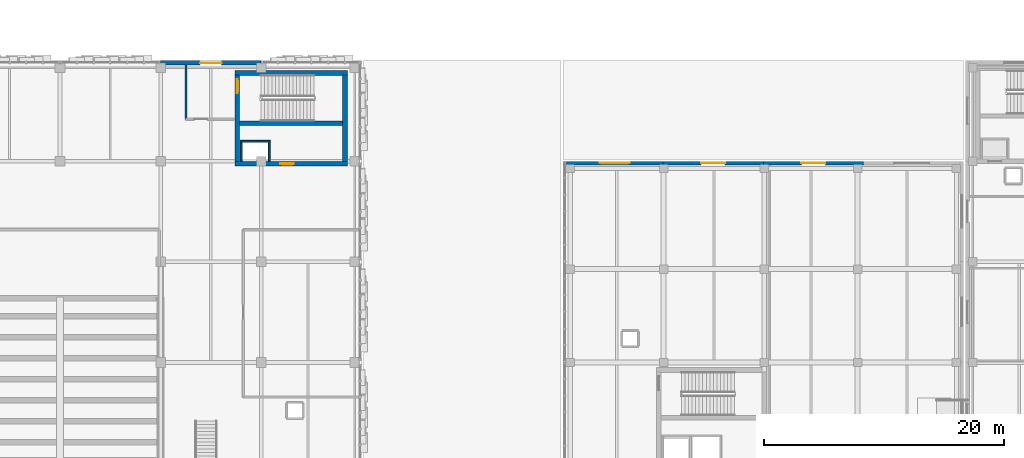
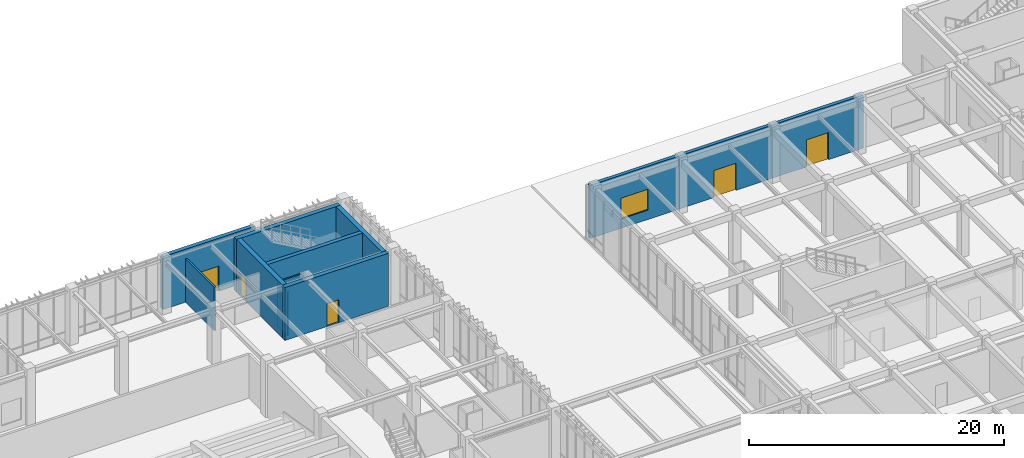
# One storey, part 99 of 122: 13 walls, 5 doors, 1 window, 6 openings.
"""IFC4 building model written with IfcOpenShell, lengths in metres."""

import ifcopenshell
import ifcopenshell.guid

model = None  # the IFC model being written
_history = None  # IfcOwnerHistory: only IFC2X3 demands one
_inside = {}  # id of a spatial element -> (the spatial element, [elements in it])
_under = {}  # id of a project, library or spatial element -> (it, [spatial elements below it])
_declared = {}  # id of a project -> (the project, [libraries it declares])
_typed = {}  # id of a type object -> (the type object, [elements of that type])
_made_of = {}  # id of a material, layer set ... -> (it, [elements and type objects made of it])


def new_model(schema):
    """Start an empty IFC model of exactly this schema.

    Asked for "IFC4X3", IfcOpenShell would pick the latest addendum, in which some entities
    have other attributes; the version numbers below select the first issue.
    IFC2X3 requires an IfcOwnerHistory on every rooted entity: one is made here for all.
    """
    global model, _history
    if schema == "IFC4X3":
        model = ifcopenshell.file(schema_version=(4, 3, 0, 0))
    else:
        model = ifcopenshell.file(schema=schema)
    _inside.clear()
    _under.clear()
    _declared.clear()
    _typed.clear()
    _made_of.clear()
    _history = None
    if model.schema == "IFC2X3":
        org = make("IfcOrganization", Name="unknown")
        user = make(
            "IfcPersonAndOrganization",
            ThePerson=make("IfcPerson", FamilyName="unknown"),
            TheOrganization=org,
        )
        app = make(
            "IfcApplication",
            ApplicationDeveloper=org,
            Version="unknown",
            ApplicationFullName="unknown",
            ApplicationIdentifier="unknown",
        )
        _history = make(
            "IfcOwnerHistory",
            OwningUser=user,
            OwningApplication=app,
            ChangeAction="ADDED",
            CreationDate=0,
        )
    return model


def make(cls, **values):
    """One entity of the class cls with the attributes given. An attribute that is None is left unset."""
    return model.create_entity(
        cls, **{name: value for name, value in values.items() if value is not None}
    )


def rooted(cls, **values):
    """An entity with a GlobalId (a new one), such as an element, a storey or a relation."""
    return make(cls, GlobalId=ifcopenshell.guid.new(), OwnerHistory=_history, **values)


def si_unit(unit_type, name, prefix=None):
    """IfcSIUnit, for example si_unit("LENGTHUNIT", "METRE", prefix="MILLI")."""
    return make("IfcSIUnit", UnitType=unit_type, Prefix=prefix, Name=name)


def assignment(units):
    """IfcUnitAssignment: the units of a project."""
    return None if units is None else make("IfcUnitAssignment", Units=units)


def point(xyz):
    """IfcCartesianPoint."""
    return None if xyz is None else make("IfcCartesianPoint", Coordinates=xyz)


def direction(xyz):
    """IfcDirection."""
    return None if xyz is None else make("IfcDirection", DirectionRatios=xyz)


def frame(location, z_axis=None, x_axis=None):
    """IfcAxis2Placement3D, a coordinate frame: its origin and axes. An axis left out is left unset."""
    return make(
        "IfcAxis2Placement3D",
        Location=point(location),
        Axis=direction(z_axis),
        RefDirection=direction(x_axis),
    )


def frame_2d(location, x_axis=None):
    """IfcAxis2Placement2D, a coordinate frame in the plane: its origin and x axis."""
    return make(
        "IfcAxis2Placement2D", Location=point(location), RefDirection=direction(x_axis)
    )


def origin():
    """The frame at (0, 0, 0) with its axes left unset."""
    return frame((0.0, 0.0, 0.0))


def place(relative_to, where):
    """IfcLocalPlacement: puts the frame where relative to a parent placement (None: the world)."""
    return make(
        "IfcLocalPlacement", PlacementRelTo=relative_to, RelativePlacement=where
    )


def context(
    kind, dimensions, precision=None, world=None, true_north=None, identifier=None
):
    """IfcGeometricRepresentationContext, for example the 3D "Model" context."""
    return make(
        "IfcGeometricRepresentationContext",
        ContextIdentifier=identifier,
        ContextType=kind,
        CoordinateSpaceDimension=dimensions,
        Precision=precision,
        WorldCoordinateSystem=world,
        TrueNorth=true_north,
    )


def subcontext(parent, identifier, kind, view, scale=None):
    """IfcGeometricRepresentationSubContext, for example "Body" below "Model"."""
    return make(
        "IfcGeometricRepresentationSubContext",
        ContextIdentifier=identifier,
        ContextType=kind,
        ParentContext=parent,
        TargetScale=scale,
        TargetView=view,
    )


def project(units=None, contexts=None):
    """IfcProject with its units and contexts."""
    return rooted(
        "IfcProject",
        Name="project",
        RepresentationContexts=contexts,
        UnitsInContext=assignment(units),
    )


def spatial(cls, under=None, at=None, **own):
    """A site, building, storey or space (cls), placed at a placement, below another one or the project."""
    s = rooted(cls, ObjectPlacement=at, **own)
    if under is not None:
        _under.setdefault(under.id(), (under, []))[1].append(s)
    return s


def profile(cls, at=None, kind="AREA", **sizes):
    """A parametric profile (cls). Its sizes go by their IFC names, for example OverallWidth=200.0."""
    return make(cls, ProfileType=kind, Position=at, **sizes)


def rectangle(**sizes):
    """IfcRectangleProfileDef."""
    return profile("IfcRectangleProfileDef", **sizes)


def extrude(swept, where, along, depth):
    """IfcExtrudedAreaSolid: the profile swept, set in the frame where, extruded along a direction by depth."""
    return make(
        "IfcExtrudedAreaSolid",
        SweptArea=swept,
        Position=where,
        ExtrudedDirection=direction(along),
        Depth=depth,
    )


def shape(context_of_items, identifier, shape_type, items):
    """IfcShapeRepresentation: the items that make up one representation, for example the "Body"."""
    return make(
        "IfcShapeRepresentation",
        ContextOfItems=context_of_items,
        RepresentationIdentifier=identifier,
        RepresentationType=shape_type,
        Items=items,
    )


def material(Name=None, Category=None):
    """IfcMaterial."""
    return make("IfcMaterial", Name=Name, Category=Category)


def layer(
    of_material, thickness, ventilated=None, Name=None, Category=None, Priority=None
):
    """IfcMaterialLayer: one layer of a wall or slab, of a material (None: an air gap)."""
    return make(
        "IfcMaterialLayer",
        Material=of_material,
        LayerThickness=thickness,
        IsVentilated=ventilated,
        Name=Name,
        Category=Category,
        Priority=Priority,
    )


def layer_set(layers, Name=None):
    """IfcMaterialLayerSet."""
    return make("IfcMaterialLayerSet", MaterialLayers=layers, LayerSetName=Name)


def made_of(thing, what):
    """Note that an element or type object is made of a material, layer set ...; save() writes the relation."""
    if what is not None:
        _made_of.setdefault(what.id(), (what, []))[1].append(thing)
    return thing


def type_object(cls, material=None, **own):
    """A type object (cls), such as IfcWallType, which elements share."""
    return made_of(rooted(cls, **own), material)


def element(
    cls,
    number,
    at=None,
    inside=None,
    cuts=None,
    type_object=None,
    material=None,
    context=None,
    identifier="Body",
    shape_type=None,
    held_by="IfcProductDefinitionShape",
    body=None,
    shapes=None,
    **own,
):
    """One element of the class cls, such as IfcWall. Its Tag is "e" and its number.

    at: its placement. inside: the storey or other place that contains it. cuts: it is an
    opening in that element (IfcRelVoidsElement). A single representation is given by context,
    identifier, shape_type and body (its items); several are given by shapes. held_by: the class
    of the entity that holds the representations. save() writes the other relations.
    """
    e = rooted(cls, Tag="e%d" % number, ObjectPlacement=at, **own)
    if body is not None:
        shapes = [shape(context, identifier, shape_type, body)]
    if shapes is not None:
        e.Representation = make(held_by, Representations=shapes)
    if inside is not None:
        _inside.setdefault(inside.id(), (inside, []))[1].append(e)
    if cuts is not None:
        rooted(
            "IfcRelVoidsElement", RelatingBuildingElement=cuts, RelatedOpeningElement=e
        )
    if type_object is not None:
        _typed.setdefault(type_object.id(), (type_object, []))[1].append(e)
    return made_of(e, material)


def fill(opening, filler):
    """IfcRelFillsElement: the door or window that sits in an opening."""
    return rooted(
        "IfcRelFillsElement",
        RelatingOpeningElement=opening,
        RelatedBuildingElement=filler,
    )


def aggregate(whole, parts):
    """IfcRelAggregates: a whole, such as a stair, and the parts it consists of."""
    return rooted("IfcRelAggregates", RelatingObject=whole, RelatedObjects=parts)


def save(model, path):
    """Write the relations noted so far, then the file.

    IfcRelAggregates (storeys below a building ...), IfcRelContainedInSpatialStructure (elements
    in a storey), IfcRelDefinesByType, IfcRelAssociatesMaterial and IfcRelDeclares: one each for
    every whole, place, type object, material and project.
    """
    for whole, parts in _under.values():
        aggregate(whole, parts)
    for where, things in _inside.values():
        rooted(
            "IfcRelContainedInSpatialStructure",
            RelatedElements=things,
            RelatingStructure=where,
        )
    for kind, things in _typed.values():
        rooted("IfcRelDefinesByType", RelatedObjects=things, RelatingType=kind)
    for what, things in _made_of.values():
        rooted("IfcRelAssociatesMaterial", RelatedObjects=things, RelatingMaterial=what)
    for by, libraries in _declared.values():
        rooted("IfcRelDeclares", RelatingContext=by, RelatedDefinitions=libraries)
    model.write(path)


model = new_model("IFC4")

# Units and contexts
model_context = context("Model", 3, precision=1e-05, world=origin(), true_north=direction((0.0, 1.0)))
body_context = subcontext(model_context, "Body", "Model", "MODEL_VIEW")
ifc_project = project(units=[si_unit("LENGTHUNIT", "METRE"), si_unit("AREAUNIT", "SQUARE_METRE"), si_unit("VOLUMEUNIT", "CUBIC_METRE"), si_unit("PLANEANGLEUNIT", "RADIAN"), si_unit("MASSUNIT", "GRAM", prefix="KILO")], contexts=[model_context])

# Site, building, storey
site_placement = place(None, origin())
site = spatial("IfcSite", under=ifc_project, at=site_placement, CompositionType="ELEMENT")
building_placement = place(site_placement, origin())
building = spatial("IfcBuilding", under=site, at=building_placement, Name="Zayran Congress Hotel", CompositionType="ELEMENT")
storey_placement = place(building_placement, origin())
storey = spatial("IfcBuildingStorey", under=building, at=storey_placement, Name="L00", CompositionType="ELEMENT", Elevation=0.0)

# Wall, opening, door
ifc_material_1 = material(Name="Hajar Ma'ani limestone and insulated concrete C32/40", Category="masonry")
ifc_layer_1 = layer(ifc_material_1, 0.360107421875)
ifc_layer_set_1 = layer_set([ifc_layer_1], Name="Hajar Ma'ani limestone and insulated concrete C32/40")
wall_type_1 = type_object("IfcWallType", Name="WL-EX-360", PredefinedType="SOLIDWALL", material=ifc_layer_set_1)
wall_1_placement = place(storey_placement, frame((75.60009765625, 117.820068359375, 0.0), z_axis=(0.0, 0.0, 1.0), x_axis=(1.0, 0.0, 0.0)))
wall_1 = element("IfcWall", 1, at=wall_1_placement, inside=storey, type_object=wall_type_1, Name="EW-V1-N-L00-8", PredefinedType="SOLIDWALL", context=body_context, shape_type="SweptSolid", body=[
    extrude(rectangle(XDim=8.39990234375, YDim=0.360107421875, at=frame_2d((4.199951171875, 0.0))), origin(), (0.0, 0.0, 1.0), 5.080078125),
])
opening_1_placement = place(wall_1_placement, frame((3.300048828125, 0.0, 0.0)))
opening_1 = element("IfcOpeningElement", 2, at=opening_1_placement, cuts=wall_1, Name="Opening DEX-03", PredefinedType="OPENING", context=body_context, shape_type="SweptSolid", body=[
    extrude(rectangle(XDim=1.800048828125, YDim=2.39990234375, at=frame_2d((0.89990234375, 1.199951171875))), frame((0.0, 0.18994140625, 0.0), z_axis=(0.0, -1.0, 0.0), x_axis=(1.0, 0.0, 0.0)), (0.0, 0.0, 1.0), 0.380126953125),
])
ifc_material_2 = material(Name="Painted steel fire exit door assembly", Category="steel")
door_type_1 = type_object("IfcDoorType", Name="TP-DEX-03", OperationType="DOUBLE_DOOR_SINGLE_SWING", PredefinedType="DOOR", material=ifc_material_2)
door_1_placement = place(opening_1_placement, origin())
door_1 = element("IfcDoor", 3, at=door_1_placement, inside=storey, type_object=door_type_1, Name="North Avenue Exit Door 9", OperationType="DOUBLE_DOOR_SINGLE_SWING", OverallHeight=2.39990234375, OverallWidth=1.800048828125, PredefinedType="DOOR", context=body_context, shape_type="SweptSolid", body=[
    extrude(rectangle(XDim=1.800048828125, YDim=2.39990234375, at=frame_2d((0.89990234375, 1.199951171875))), frame((0.0, 0.02490234375, 0.0), z_axis=(0.0, -1.0, 0.0), x_axis=(1.0, 0.0, 0.0)), (0.0, 0.0, 1.0), 0.050048828125),
])
fill(opening_1, door_1)

# Wall, opening, window
ifc_material_3 = material(Name="Ajlun white limestone and insulated concrete C32/40", Category="masonry")
ifc_layer_2 = layer(ifc_material_3, 0.300048828125)
ifc_layer_set_2 = layer_set([ifc_layer_2], Name="Ajlun white limestone and insulated concrete C32/40")
wall_type_2 = type_object("IfcWallType", Name="WL-EX-300", PredefinedType="SOLIDWALL", material=ifc_layer_set_2)
wall_2_placement = place(storey_placement, frame((109.5, 109.449951171875, 0.0), z_axis=(0.0, 0.0, 1.0), x_axis=(1.0, 0.0, 0.0)))
wall_2 = element("IfcWall", 4, at=wall_2_placement, inside=storey, type_object=wall_type_2, Name="EW-V4-N-L00-0", PredefinedType="SOLIDWALL", context=body_context, shape_type="SweptSolid", body=[
    extrude(rectangle(XDim=8.06201171875, YDim=0.300048828125, at=frame_2d((4.031005859375, 0.0))), origin(), (0.0, 0.0, 1.0), 5.10009765625),
])
opening_2_placement = place(wall_2_placement, frame((2.791015625, 0.0, 0.89990234375)))
opening_2 = element("IfcOpeningElement", 5, at=opening_2_placement, cuts=wall_2, Name="Opening WN-42", PredefinedType="OPENING", context=body_context, shape_type="SweptSolid", body=[
    extrude(rectangle(XDim=2.47998046875, YDim=2.0, at=frame_2d((1.239990234375, 1.0))), frame((0.0, 0.159912109375, 0.0), z_axis=(0.0, -1.0, 0.0), x_axis=(1.0, 0.0, 0.0)), (0.0, 0.0, 1.0), 0.320068359375),
])
ifc_material_4 = material(Name="Anodised aluminium and low-E insulated glass", Category="aluminium")
window_type = type_object("IfcWindowType", Name="TP-WN-42", PartitioningType="DOUBLE_PANEL_VERTICAL", PredefinedType="WINDOW", material=ifc_material_4)
window_placement = place(opening_2_placement, origin())
window = element("IfcWindow", 6, at=window_placement, inside=storey, type_object=window_type, Name="WIN-V4-0100", OverallHeight=2.0, OverallWidth=2.47998046875, PartitioningType="SINGLE_PANEL", PredefinedType="WINDOW", context=body_context, shape_type="SweptSolid", body=[
    extrude(rectangle(XDim=2.47998046875, YDim=2.0, at=frame_2d((1.239990234375, 1.0))), frame((0.0, 0.030029296875, 0.0), z_axis=(0.0, -1.0, 0.0), x_axis=(1.0, 0.0, 0.0)), (0.0, 0.0, 1.0), 0.06005859375),
])
fill(opening_2, window)

# Wall, opening, door
wall_3_placement = place(storey_placement, frame((117.56201171875, 109.449951171875, 0.0), z_axis=(0.0, 0.0, 1.0), x_axis=(1.0, 0.0, 0.0)))
wall_3 = element("IfcWall", 7, at=wall_3_placement, inside=storey, type_object=wall_type_2, Name="EW-V4-N-L00-1", PredefinedType="SOLIDWALL", context=body_context, shape_type="SweptSolid", body=[
    extrude(rectangle(XDim=8.363037109375, YDim=0.300048828125, at=frame_2d((4.181640625, 0.0))), origin(), (0.0, 0.0, 1.0), 5.10009765625),
])
opening_3_placement = place(wall_3_placement, frame((3.180908203125, 0.0, 0.0)))
opening_3 = element("IfcOpeningElement", 8, at=opening_3_placement, cuts=wall_3, Name="Opening DEX-02", PredefinedType="OPENING", context=body_context, shape_type="SweptSolid", body=[
    extrude(rectangle(XDim=2.0, YDim=2.60009765625, at=frame_2d((1.0, 1.300048828125))), frame((0.0, 0.159912109375, 0.0), z_axis=(0.0, -1.0, 0.0), x_axis=(1.0, 0.0, 0.0)), (0.0, 0.0, 1.0), 0.320068359375),
])
ifc_material_5 = material(Name="Anodised aluminium glazed entrance door", Category="aluminium")
door_type_2 = type_object("IfcDoorType", Name="TP-DEX-02", OperationType="DOUBLE_DOOR_SINGLE_SWING", PredefinedType="DOOR", material=ifc_material_5)
door_2_placement = place(opening_3_placement, origin())
door_2 = element("IfcDoor", 9, at=door_2_placement, inside=storey, type_object=door_type_2, Name="V4 Exterior Entrance Door 21", OperationType="DOUBLE_DOOR_SINGLE_SWING", OverallHeight=2.60009765625, OverallWidth=2.0, PredefinedType="DOOR", context=body_context, shape_type="SweptSolid", body=[
    extrude(rectangle(XDim=2.0, YDim=2.60009765625, at=frame_2d((1.0, 1.300048828125))), frame((0.0, 0.02490234375, 0.0), z_axis=(0.0, -1.0, 0.0), x_axis=(1.0, 0.0, 0.0)), (0.0, 0.0, 1.0), 0.050048828125),
])
fill(opening_3, door_2)

wall_4_placement = place(storey_placement, frame((125.925048828125, 109.449951171875, 0.0), z_axis=(0.0, 0.0, 1.0), x_axis=(1.0, 0.0, 0.0)))
wall_4 = element("IfcWall", 10, at=wall_4_placement, inside=storey, type_object=wall_type_2, Name="EW-V4-N-L00-2", PredefinedType="SOLIDWALL", context=body_context, shape_type="SweptSolid", body=[
    extrude(rectangle(XDim=8.362060546875, YDim=0.300048828125, at=frame_2d((4.18115234375, 0.0))), origin(), (0.0, 0.0, 1.0), 5.10009765625),
])
opening_4_placement = place(wall_4_placement, frame((3.180908203125, 0.0, 0.0)))
opening_4 = element("IfcOpeningElement", 11, at=opening_4_placement, cuts=wall_4, Name="Opening DEX-02", PredefinedType="OPENING", context=body_context, shape_type="SweptSolid", body=[
    extrude(rectangle(XDim=2.0, YDim=2.60009765625, at=frame_2d((1.0, 1.300048828125))), frame((0.0, 0.159912109375, 0.0), z_axis=(0.0, -1.0, 0.0), x_axis=(1.0, 0.0, 0.0)), (0.0, 0.0, 1.0), 0.320068359375),
])
door_3_placement = place(opening_4_placement, origin())
door_3 = element("IfcDoor", 12, at=door_3_placement, inside=storey, type_object=door_type_2, Name="V4 Exterior Entrance Door 23", OperationType="DOUBLE_DOOR_SINGLE_SWING", OverallHeight=2.60009765625, OverallWidth=2.0, PredefinedType="DOOR", context=body_context, shape_type="SweptSolid", body=[
    extrude(rectangle(XDim=2.0, YDim=2.60009765625, at=frame_2d((1.0, 1.300048828125))), frame((0.0, 0.02490234375, 0.0), z_axis=(0.0, -1.0, 0.0), x_axis=(1.0, 0.0, 0.0)), (0.0, 0.0, 1.0), 0.050048828125),
])
fill(opening_4, door_3)

ifc_material_6 = material(Name="Concrete C40/50", Category="concrete")
ifc_layer_3 = layer(ifc_material_6, 0.39990234375)
ifc_layer_set_3 = layer_set([ifc_layer_3], Name="Concrete C40/50")
wall_type_3 = type_object("IfcWallType", Name="WL-SH-400", PredefinedType="SHEAR", material=ifc_layer_set_3)
wall_5_placement = place(storey_placement, frame((81.800048828125, 109.39990234375, 0.0), z_axis=(0.0, 0.0, 1.0), x_axis=(1.0, 0.0, 0.0)))
wall_5 = element("IfcWall", 13, at=wall_5_placement, inside=storey, type_object=wall_type_3, Name="CWALL-C-V1E-L00-S", PredefinedType="SHEAR", context=body_context, shape_type="SweptSolid", body=[
    extrude(rectangle(XDim=9.39990234375, YDim=0.39990234375, at=frame_2d((4.699951171875, 0.0))), origin(), (0.0, 0.0, 1.0), 5.080078125),
])
opening_5_placement = place(wall_5_placement, frame((3.800048828125, 0.0, 0.0)))
opening_5 = element("IfcOpeningElement", 14, at=opening_5_placement, cuts=wall_5, Name="Opening LD-PL05", PredefinedType="OPENING", context=body_context, shape_type="SweptSolid", body=[
    extrude(rectangle(XDim=1.10009765625, YDim=2.199951171875, at=frame_2d((0.550048828125, 1.10009765625))), frame((0.0, 0.2099609375, 0.0), z_axis=(0.0, -1.0, 0.0), x_axis=(1.0, 0.0, 0.0)), (0.0, 0.0, 1.0), 0.419921875),
])
ifc_material_7 = material(Name="Brushed stainless steel sliding lift landing door", Category="steel")
door_type_3 = type_object("IfcDoorType", Name="TP-DR-LD-01", OperationType="DOUBLE_DOOR_SLIDING", PredefinedType="DOOR", material=ifc_material_7)
door_4_placement = place(opening_5_placement, origin())
door_4 = element("IfcDoor", 15, at=door_4_placement, inside=storey, type_object=door_type_3, Name="Lift PL-05 Sliding Landing Door L00", OperationType="DOUBLE_DOOR_SLIDING", OverallHeight=2.199951171875, OverallWidth=1.10009765625, PredefinedType="DOOR", context=body_context, shape_type="SweptSolid", body=[
    extrude(rectangle(XDim=1.10009765625, YDim=2.199951171875, at=frame_2d((0.550048828125, 1.10009765625))), frame((0.0, 0.02490234375, 0.0), z_axis=(0.0, -1.0, 0.0), x_axis=(1.0, 0.0, 0.0)), (0.0, 0.0, 1.0), 0.050048828125),
])
fill(opening_5, door_4)

# Wall
wall_6_placement = place(storey_placement, frame((91.199951171875, 116.985107421875, 0.0), z_axis=(0.0, 0.0, 1.0), x_axis=(-1.0, 0.0, 0.0)))
element("IfcWall", 16, at=wall_6_placement, inside=storey, type_object=wall_type_3, Name="CWALL-C-V1E-L00-N", PredefinedType="SHEAR", context=body_context, shape_type="SweptSolid", body=[
    extrude(rectangle(XDim=9.39990234375, YDim=0.39990234375, at=frame_2d((4.699951171875, 0.0))), origin(), (0.0, 0.0, 1.0), 5.080078125),
])

# Wall, opening, door
wall_7_placement = place(storey_placement, frame((82.0, 116.800048828125, 0.0), z_axis=(0.0, 0.0, 1.0), x_axis=(0.0, -1.0, 0.0)))
wall_7 = element("IfcWall", 17, at=wall_7_placement, inside=storey, type_object=wall_type_3, Name="CWALL-C-V1E-L00-W", PredefinedType="SHEAR", context=body_context, shape_type="SweptSolid", body=[
    extrude(rectangle(XDim=7.199951171875, YDim=0.39990234375, at=frame_2d((3.60009765625, 0.0))), origin(), (0.0, 0.0, 1.0), 5.080078125),
])
opening_6_placement = place(wall_7_placement, frame((0.35009765625, 0.0, 0.0)))
opening_6 = element("IfcOpeningElement", 18, at=opening_6_placement, cuts=wall_7, Name="Opening DR-FD-90", PredefinedType="OPENING", context=body_context, shape_type="SweptSolid", body=[
    extrude(rectangle(XDim=1.14990234375, YDim=2.199951171875, at=frame_2d((0.574951171875, 1.10009765625))), frame((0.0, 0.2099609375, 0.0), z_axis=(0.0, -1.0, 0.0), x_axis=(1.0, 0.0, 0.0)), (0.0, 0.0, 1.0), 0.419921875),
])
ifc_material_8 = material(Name="Painted steel fire door assembly", Category="steel")
door_type_4 = type_object("IfcDoorType", Name="TP-DR-FD-90", OperationType="NOTDEFINED", PredefinedType="DOOR", material=ifc_material_8)
door_5_placement = place(opening_6_placement, origin())
door_5 = element("IfcDoor", 19, at=door_5_placement, inside=storey, type_object=door_type_4, Name="ST-04 Exit Stair Door L00", OperationType="SINGLE_SWING_RIGHT", OverallHeight=2.199951171875, OverallWidth=1.14990234375, PredefinedType="DOOR", context=body_context, shape_type="SweptSolid", body=[
    extrude(rectangle(XDim=1.14990234375, YDim=2.199951171875, at=frame_2d((0.574951171875, 1.10009765625))), frame((0.0, 0.02490234375, 0.0), z_axis=(0.0, -1.0, 0.0), x_axis=(1.0, 0.0, 0.0)), (0.0, 0.0, 1.0), 0.050048828125),
])
fill(opening_6, door_5)

# Walls
wall_8_placement = place(storey_placement, frame((91.0, 109.60009765625, 0.0), z_axis=(0.0, 0.0, 1.0), x_axis=(0.0, 1.0, 0.0)))
element("IfcWall", 20, at=wall_8_placement, inside=storey, type_object=wall_type_3, Name="CWALL-C-V1E-L00-E", PredefinedType="SHEAR", context=body_context, shape_type="SweptSolid", body=[
    extrude(rectangle(XDim=7.199951171875, YDim=0.39990234375, at=frame_2d((3.60009765625, 0.0))), origin(), (0.0, 0.0, 1.0), 5.080078125),
])
ifc_layer_4 = layer(ifc_material_6, 0.35009765625)
ifc_layer_set_4 = layer_set([ifc_layer_4], Name="Concrete C40/50")
wall_type_4 = type_object("IfcWallType", Name="WL-SH-350", PredefinedType="SHEAR", material=ifc_layer_set_4)
wall_9_placement = place(storey_placement, frame((82.199951171875, 112.784912109375, 0.0), z_axis=(0.0, 0.0, 1.0), x_axis=(1.0, 0.0, 0.0)))
element("IfcWall", 21, at=wall_9_placement, inside=storey, type_object=wall_type_4, Name="CWALL-C-V1E-L00-SPN", PredefinedType="SHEAR", context=body_context, shape_type="SweptSolid", body=[
    extrude(rectangle(XDim=8.60009765625, YDim=0.35009765625, at=frame_2d((4.300048828125, 0.0))), origin(), (0.0, 0.0, 1.0), 5.080078125),
])
ifc_material_9 = material(Name="Acoustic twin-stud gypsum partition", Category="gypsum")
ifc_layer_5 = layer(ifc_material_9, 0.159912109375)
ifc_layer_set_5 = layer_set([ifc_layer_5], Name="Acoustic twin-stud gypsum partition")
wall_type_5 = type_object("IfcWallType", Name="WL-PT-160", PredefinedType="PARTITIONING", material=ifc_layer_set_5)
wall_10_placement = place(storey_placement, frame((77.719970703125, 113.1201171875, 0.0), z_axis=(0.0, 0.0, 1.0), x_axis=(0.0, 1.0, 0.0)))
element("IfcWall", 22, at=wall_10_placement, inside=storey, type_object=wall_type_5, Name="IW-L00-1664", PredefinedType="PARTITIONING", context=body_context, shape_type="SweptSolid", body=[
    extrude(rectangle(XDim=4.519775390625, YDim=0.159912109375, at=frame_2d((2.259765625, 0.0))), origin(), (0.0, 0.0, 1.0), 4.179931640625),
])
ifc_material_10 = material(Name="Hospitality guestroom acoustic partition", Category="gypsum")
ifc_layer_6 = layer(ifc_material_10, 0.139892578125)
ifc_layer_set_6 = layer_set([ifc_layer_6], Name="Hospitality guestroom acoustic partition")
wall_type_6 = type_object("IfcWallType", Name="WL-PT-140", PredefinedType="PARTITIONING", material=ifc_layer_set_6)
for number, where, z_axis, x_axis, name in (
    (23, (82.330078125, 109.60009765625, 0.0), (0.0, 0.0, 1.0), (0.0, 1.0, 0.0), "LSHW-C-V1E-L00-W"),
    (24, (84.669921875, 109.60009765625, 0.0), (0.0, 0.0, 1.0), (0.0, 1.0, 0.0), "LSHW-C-V1E-L00-E"),
):
    element("IfcWall", number, at=place(storey_placement, frame(where, z_axis=z_axis, x_axis=x_axis)), inside=storey, type_object=wall_type_6, Name=name, PredefinedType="PARTITIONING", context=body_context, shape_type="SweptSolid", body=[
        extrude(rectangle(XDim=1.599853515625, YDim=0.139892578125, at=frame_2d((0.7998046875, 0.0))), origin(), (0.0, 0.0, 1.0), 4.22998046875),
    ])
wall_11_placement = place(storey_placement, frame((82.260009765625, 111.27001953125, 0.0), z_axis=(0.0, 0.0, 1.0), x_axis=(1.0, 0.0, 0.0)))
element("IfcWall", 25, at=wall_11_placement, inside=storey, type_object=wall_type_6, Name="LSHW-C-V1E-L00-N", PredefinedType="PARTITIONING", context=body_context, shape_type="SweptSolid", body=[
    extrude(rectangle(XDim=2.47998046875, YDim=0.139892578125, at=frame_2d((1.239990234375, 0.0))), origin(), (0.0, 0.0, 1.0), 4.22998046875),
])

save(model, "model.ifc")
